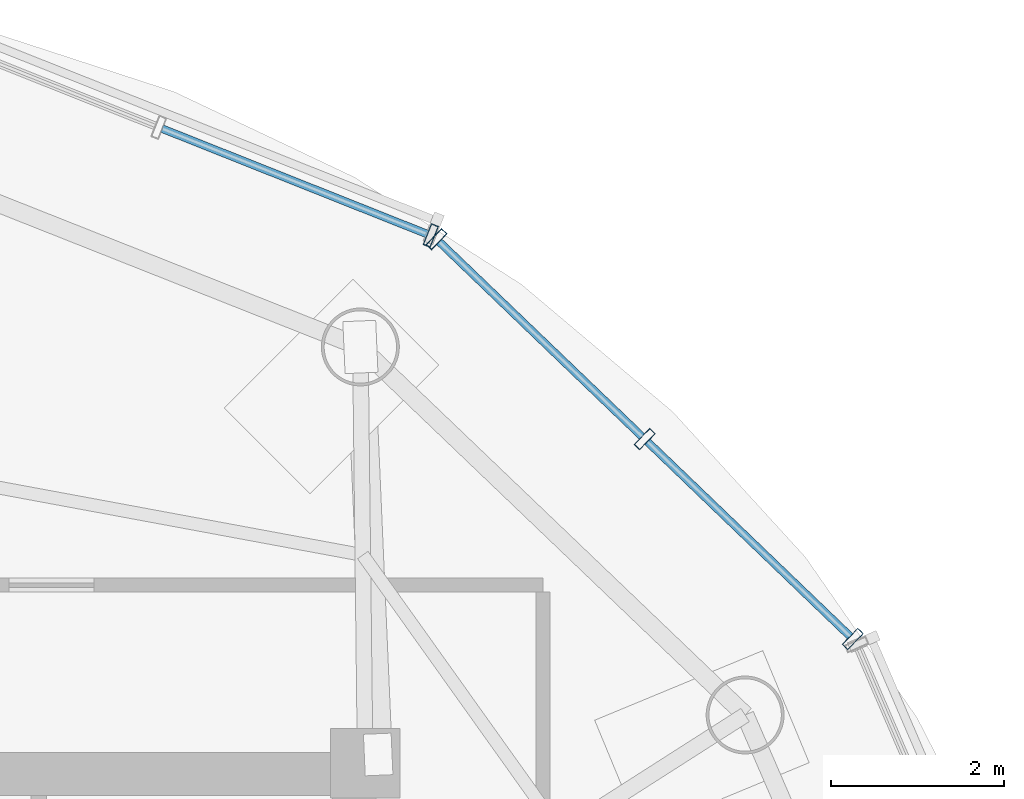
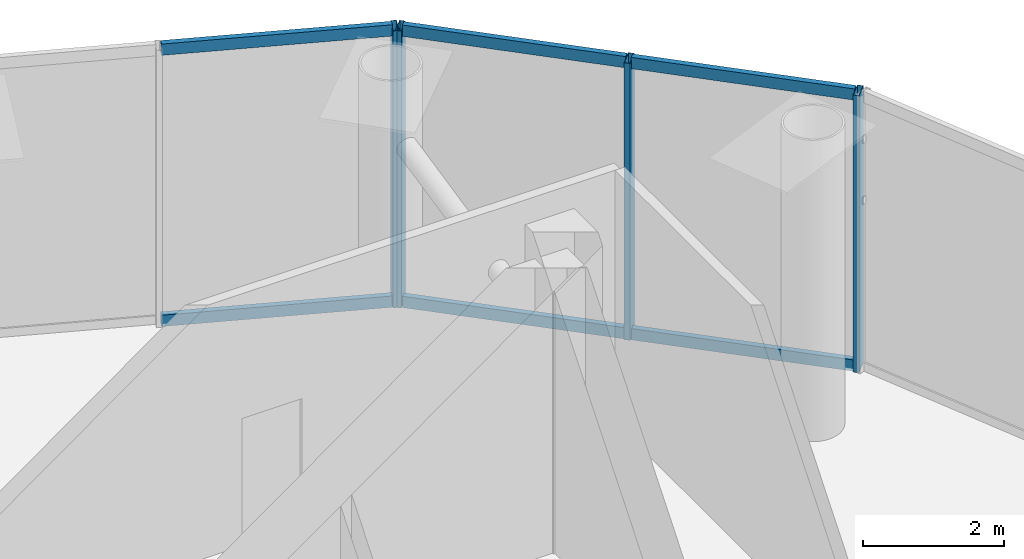
# One storey, part 8 of 15: 10 members, 2 elements without a shape of their own.
"""IFC4 building model written with IfcOpenShell, lengths in metres."""

from ifc_helpers import new_model, si_unit, direction, frame, origin, origin_2d, place, context, subcontext, project, spatial, hollow_rectangle, extrude, source, transform, mapped, material, material_profile, profile_set, type_object, element, aggregate, save


model = new_model("IFC4")

# Units and contexts
model_context = context("Model", 3, precision=1e-05, world=origin(), true_north=direction((-0.2419218956, 0.970295726276)))
body_context = subcontext(model_context, "Body", "Model", "MODEL_VIEW")
ifc_project = project(units=[si_unit("LENGTHUNIT", "METRE"), si_unit("AREAUNIT", "SQUARE_METRE"), si_unit("VOLUMEUNIT", "CUBIC_METRE"), si_unit("PLANEANGLEUNIT", "RADIAN"), si_unit("MASSUNIT", "GRAM", prefix="KILO")], contexts=[model_context])

# Site, building, storey
site_placement = place(None, origin())
site = spatial("IfcSite", under=ifc_project, at=site_placement, CompositionType="ELEMENT")
building_placement = place(site_placement, origin())
building = spatial("IfcBuilding", under=site, at=building_placement, Name="Cobrevalo Terracotta Tower", CompositionType="ELEMENT")
storey_placement = place(building_placement, frame((0.0, 0.0, 316.5)))
storey = spatial("IfcBuildingStorey", under=building, at=storey_placement, Name="L82", CompositionType="ELEMENT", Elevation=316.5)

# Curtain wall, members
ifc_material = material(Name="Anodized aluminium", Category="aluminium")
curtain_wall_type = type_object("IfcCurtainWallType", Name="Faceted glass-point crown structural glazing system CW-CR", PredefinedType="NOTDEFINED", material=ifc_material)
curtain_wall_1_placement = place(storey_placement, origin())
curtain_wall_1 = element("IfcCurtainWall", 1, at=curtain_wall_1_placement, inside=storey, type_object=curtain_wall_type, Name="L82 curtain wall CW-CRN-L82-S02", PredefinedType="NOTDEFINED")
ifc_material_profile_1 = material_profile(ifc_material, hollow_rectangle(XDim=0.090087890625, YDim=0.195068359375, WallThickness=0.005615234375, at=origin_2d()), Name="CWT 90x195")
ifc_profile_set_1 = profile_set([ifc_material_profile_1], Name="Anodized aluminium")
member_type_1 = type_object("IfcMemberType", Name="Crown structural aluminium transom 90x195", PredefinedType="USERDEFINED", material=ifc_profile_set_1)
shared_shape_1 = source(origin(), body_context, "Body", "SweptSolid", [
    extrude(hollow_rectangle(XDim=0.090087890625, YDim=0.195068359375, WallThickness=0.005615234375, at=origin_2d()), origin(), (0.0, 0.0, 1.0), 3.251953125),
])
member_1_placement = place(storey_placement, frame((52.60107421875, 36.26123046875, 0.050048828125), z_axis=(-0.721264285966, 0.692659966932, 0.0), x_axis=(-0.692659966932, -0.721264285966, 0.0)))
member_1 = element("IfcMember", 2, at=member_1_placement, type_object=member_type_1, Name="CW-CRN-L82-S02 transom B01-T1", ObjectType="TRANSOM", PredefinedType="USERDEFINED", context=body_context, shape_type="MappedRepresentation", body=[
    mapped(shared_shape_1, transform((0.0, 0.0, 0.0), scale=1.0)),
])
member_2_placement = place(storey_placement, frame((52.60107421875, 36.26123046875, 4.72998046875), z_axis=(-0.721264285966, 0.692659966932, 0.0), x_axis=(-0.692659966932, -0.721264285966, 0.0)))
member_2 = element("IfcMember", 3, at=member_2_placement, type_object=member_type_1, Name="CW-CRN-L82-S02 transom B01-T2", ObjectType="TRANSOM", PredefinedType="USERDEFINED", context=body_context, shape_type="MappedRepresentation", body=[
    mapped(shared_shape_1, transform((0.0, 0.0, 0.0), scale=1.0)),
])
member_3_placement = place(storey_placement, frame((50.197998046875, 38.569091796875, 0.050048828125), z_axis=(-0.721337809763, 0.692583398737, 0.0), x_axis=(-0.692583398737, -0.721337809763, 0.0)))
member_3 = element("IfcMember", 4, at=member_3_placement, type_object=member_type_1, Name="CW-CRN-L82-S02 transom B02-T1", ObjectType="TRANSOM", PredefinedType="USERDEFINED", context=body_context, shape_type="MappedRepresentation", body=[
    mapped(shared_shape_1, transform((0.0, 0.0, 0.0), scale=1.0)),
])
member_4_placement = place(storey_placement, frame((50.197998046875, 38.569091796875, 4.72998046875), z_axis=(-0.721337809763, 0.692583398737, 0.0), x_axis=(-0.692583398737, -0.721337809763, 0.0)))
member_4 = element("IfcMember", 5, at=member_4_placement, type_object=member_type_1, Name="CW-CRN-L82-S02 transom B02-T2", ObjectType="TRANSOM", PredefinedType="USERDEFINED", context=body_context, shape_type="MappedRepresentation", body=[
    mapped(shared_shape_1, transform((0.0, 0.0, 0.0), scale=1.0)),
])

curtain_wall_2_placement = place(storey_placement, origin())
curtain_wall_2 = element("IfcCurtainWall", 6, at=curtain_wall_2_placement, inside=storey, type_object=curtain_wall_type, Name="L82 curtain wall CW-CRN-L82-S03", PredefinedType="NOTDEFINED")
shared_shape_2 = source(origin(), body_context, "Body", "SweptSolid", [
    extrude(hollow_rectangle(XDim=0.090087890625, YDim=0.195068359375, WallThickness=0.005615234375, at=origin_2d()), origin(), (0.0, 0.0, 1.0), 3.2998046875),
])
member_5_placement = place(storey_placement, frame((47.720458984375, 40.90625, 0.050048828125), z_axis=(-0.92917915641, 0.369629673177, 0.0), x_axis=(-0.369629673177, -0.92917915641, 0.0)))
member_5 = element("IfcMember", 7, at=member_5_placement, type_object=member_type_1, Name="CW-CRN-L82-S03 transom B01-T1", ObjectType="TRANSOM", PredefinedType="USERDEFINED", context=body_context, shape_type="MappedRepresentation", body=[
    mapped(shared_shape_2, transform((0.0, 0.0, 0.0), scale=1.0)),
])
member_6_placement = place(storey_placement, frame((47.720458984375, 40.90625, 4.72998046875), z_axis=(-0.92917915641, 0.369629673177, 0.0), x_axis=(-0.369629673177, -0.92917915641, 0.0)))
member_6 = element("IfcMember", 8, at=member_6_placement, type_object=member_type_1, Name="CW-CRN-L82-S03 transom B01-T2", ObjectType="TRANSOM", PredefinedType="USERDEFINED", context=body_context, shape_type="MappedRepresentation", body=[
    mapped(shared_shape_2, transform((0.0, 0.0, 0.0), scale=1.0)),
])

# Member
ifc_material_profile_2 = material_profile(ifc_material, hollow_rectangle(XDim=0.090087890625, YDim=0.260009765625, WallThickness=0.006103515625, at=origin_2d()), Name="CWM 90x260")
ifc_profile_set_2 = profile_set([ifc_material_profile_2], Name="Anodized aluminium")
member_type_2 = type_object("IfcMemberType", Name="Crown structural glass mullion 90x260", PredefinedType="MULLION", material=ifc_profile_set_2)
shared_shape_3 = source(origin(), body_context, "Body", "SweptSolid", [
    extrude(hollow_rectangle(XDim=0.090087890625, YDim=0.260009765625, WallThickness=0.006103515625, at=origin_2d()), origin(), (0.0, 0.0, 1.0), 4.780029296875),
])
member_7_placement = place(storey_placement, frame((52.6298828125, 36.2333984375, 0.0), z_axis=(0.0, 0.0, 1.0), x_axis=(-0.721276845158, 0.692646888854, 0.0)))
member_7 = element("IfcMember", 9, at=member_7_placement, type_object=member_type_2, Name="CW-CRN-L82-S02 vertical mullion 01", PredefinedType="MULLION", context=body_context, shape_type="MappedRepresentation", body=[
    mapped(shared_shape_3, transform((0.0, 0.0, 0.0), scale=1.0)),
])

member_8_placement = place(storey_placement, frame((50.226806640625, 38.541259765625, 0.0), z_axis=(0.0, 0.0, 1.0), x_axis=(-0.721276845158, 0.692646888854, 0.0)))
member_8 = element("IfcMember", 10, at=member_8_placement, type_object=member_type_2, Name="CW-CRN-L82-S02 vertical mullion 02", PredefinedType="MULLION", context=body_context, shape_type="MappedRepresentation", body=[
    mapped(shared_shape_3, transform((0.0, 0.0, 0.0), scale=1.0)),
])

member_9_placement = place(storey_placement, frame((47.823486328125, 40.84912109375, 0.0), z_axis=(0.0, 0.0, 1.0), x_axis=(-0.721276845158, 0.692646888854, 0.0)))
member_9 = element("IfcMember", 11, at=member_9_placement, type_object=member_type_2, Name="CW-CRN-L82-S02 vertical mullion 03", PredefinedType="MULLION", context=body_context, shape_type="MappedRepresentation", body=[
    mapped(shared_shape_3, transform((0.0, 0.0, 0.0), scale=1.0)),
])

aggregate(curtain_wall_1, [member_7, member_8, member_9, member_1, member_2, member_3, member_4])

member_10_placement = place(storey_placement, frame((47.757568359375, 40.8916015625, 0.0), z_axis=(0.0, 0.0, 1.0), x_axis=(-0.929190639756, 0.36960080491, 0.0)))
member_10 = element("IfcMember", 12, at=member_10_placement, type_object=member_type_2, Name="CW-CRN-L82-S03 vertical mullion 01", PredefinedType="MULLION", context=body_context, shape_type="MappedRepresentation", body=[
    mapped(shared_shape_3, transform((0.0, 0.0, 0.0), scale=1.0)),
])

aggregate(curtain_wall_2, [member_10, member_5, member_6])

save(model, "model.ifc")
